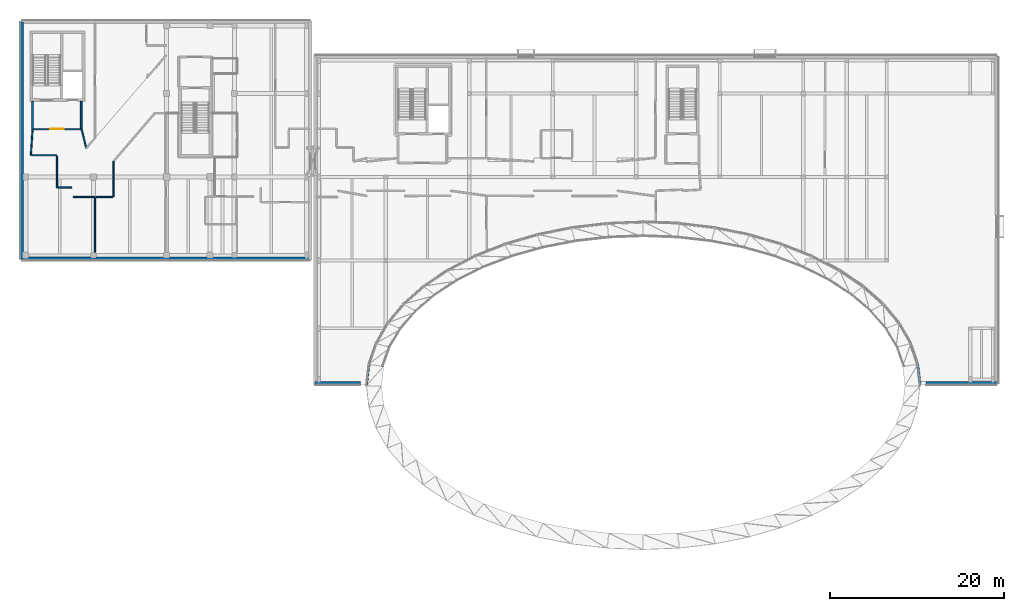
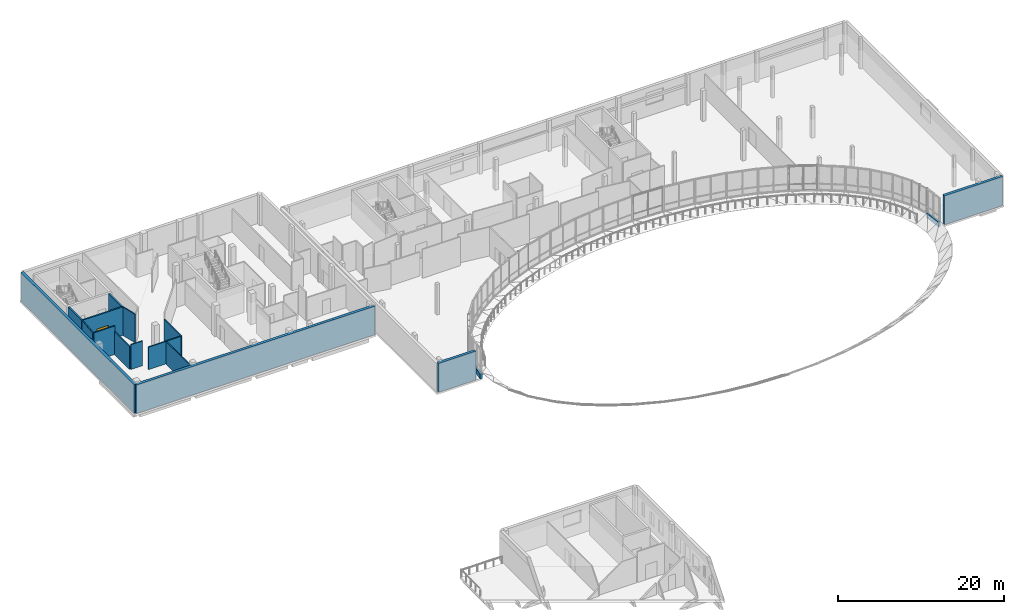
# One storey, part 24 of 41: 18 walls, 1 door, 1 opening.
"""IFC4 building model written with IfcOpenShell, lengths in metres."""

from ifc_helpers import new_model, si_unit, direction, frame, frame_2d, origin, place, context, subcontext, project, spatial, rectangle, extrude, material, layer, layer_set, type_object, element, fill, save


model = new_model("IFC4")

# Units and contexts
model_context = context("Model", 3, precision=1e-05, world=origin(), true_north=direction((0.0, 1.0)))
body_context = subcontext(model_context, "Body", "Model", "MODEL_VIEW")
ifc_project = project(units=[si_unit("LENGTHUNIT", "METRE"), si_unit("AREAUNIT", "SQUARE_METRE"), si_unit("VOLUMEUNIT", "CUBIC_METRE"), si_unit("PLANEANGLEUNIT", "RADIAN"), si_unit("MASSUNIT", "GRAM", prefix="KILO")], contexts=[model_context])

# Site, building, storey
site_placement = place(None, origin())
site = spatial("IfcSite", under=ifc_project, at=site_placement, CompositionType="ELEMENT")
building_placement = place(site_placement, origin())
building = spatial("IfcBuilding", under=site, at=building_placement, Name="Mzevani Central Library", CompositionType="ELEMENT")
storey_placement = place(building_placement, frame((0.0, 0.0, 13.800048828125)))
storey = spatial("IfcBuildingStorey", under=building, at=storey_placement, Name="L03", CompositionType="ELEMENT", Elevation=13.800048828125)

# Wall
ifc_material_1 = material(Name="Concrete C35/45", Category="concrete")
ifc_layer_1 = layer(ifc_material_1, 0.199951171875, Name="Compartment Wall 200")
ifc_layer_set_1 = layer_set([ifc_layer_1], Name="Concrete C35/45")
wall_type_1 = type_object("IfcWallType", Name="Compartment Wall 200", PredefinedType="STANDARD", material=ifc_layer_set_1)
wall_1_placement = place(storey_placement, frame((13.800048828125, 108.699951171875, 0.0), z_axis=(0.0, 0.0, 1.0), x_axis=(0.0, -1.0, 0.0)))
element("IfcWall", 1, at=wall_1_placement, inside=storey, type_object=wall_type_1, Name="L03 Firefighting Stair and Lift Lobby C2A Enclosure Wall 1", PredefinedType="STANDARD", context=body_context, shape_type="SweptSolid", body=[
    extrude(rectangle(XDim=3.199951171875, YDim=0.199951171875, at=frame_2d((1.60009765625, 0.0))), origin(), (0.0, 0.0, 1.0), 4.179931640625),
])

# Wall, opening, door
wall_2_placement = place(storey_placement, frame((13.800048828125, 105.5, 0.0), z_axis=(0.0, 0.0, 1.0), x_axis=(1.0, 0.0, 0.0)))
wall_2 = element("IfcWall", 2, at=wall_2_placement, inside=storey, type_object=wall_type_1, Name="L03 Firefighting Stair and Lift Lobby C2A Enclosure Wall 2", PredefinedType="STANDARD", context=body_context, shape_type="SweptSolid", body=[
    extrude(rectangle(XDim=5.599853515625, YDim=0.199951171875, at=frame_2d((2.7998046875, 0.0))), origin(), (0.0, 0.0, 1.0), 4.179931640625),
])
opening_placement = place(wall_2_placement, frame((2.0, 0.0, 0.0)))
opening = element("IfcOpeningElement", 3, at=opening_placement, cuts=wall_2, Name="Opening FD-02", PredefinedType="OPENING", context=body_context, shape_type="SweptSolid", body=[
    extrude(rectangle(XDim=1.60009765625, YDim=2.199951171875, at=frame_2d((0.800048828125, 1.10009765625))), frame((0.0, 0.10986328125, 0.0), z_axis=(0.0, -1.0, 0.0), x_axis=(1.0, 0.0, 0.0)), (0.0, 0.0, 1.0), 0.219970703125),
])
ifc_material_2 = material(Name="Fire-rated steel door assembly", Category="steel")
door_type = type_object("IfcDoorType", Name="Fire Lobby Double Door 1600x2200", OperationType="NOTDEFINED", PredefinedType="DOOR", material=ifc_material_2)
door_placement = place(opening_placement, origin())
door = element("IfcDoor", 4, at=door_placement, inside=storey, type_object=door_type, Name="L03 Firefighting Stair and Lift Lobby C2A Smoke-Control Door", OperationType="DOUBLE_DOOR_SINGLE_SWING", OverallHeight=2.199951171875, OverallWidth=1.60009765625, PredefinedType="DOOR", context=body_context, shape_type="SweptSolid", body=[
    extrude(rectangle(XDim=1.60009765625, YDim=2.199951171875, at=frame_2d((0.800048828125, 1.10009765625))), frame((0.0, 0.02490234375, 0.0), z_axis=(0.0, -1.0, 0.0), x_axis=(1.0, 0.0, 0.0)), (0.0, 0.0, 1.0), 0.050048828125),
])
fill(opening, door)

# Walls
wall_3_placement = place(storey_placement, frame((19.39990234375, 105.5, 0.0), z_axis=(0.0, 0.0, 1.0), x_axis=(0.0, 1.0, 0.0)))
element("IfcWall", 5, at=wall_3_placement, inside=storey, type_object=wall_type_1, Name="L03 Firefighting Stair and Lift Lobby C2A Enclosure Wall 3", PredefinedType="STANDARD", context=body_context, shape_type="SweptSolid", body=[
    extrude(rectangle(XDim=3.199951171875, YDim=0.199951171875, at=frame_2d((1.60009765625, 0.0))), origin(), (0.0, 0.0, 1.0), 4.179931640625),
])
ifc_material_3 = material(Name="Precast concrete C40/50", Category="concrete")
ifc_layer_2 = layer(ifc_material_3, 0.280029296875, Name="Court Spandrel Wall 280")
ifc_layer_set_2 = layer_set([ifc_layer_2], Name="Precast concrete C40/50")
wall_type_2 = type_object("IfcWallType", Name="Court Spandrel Wall 280", PredefinedType="STANDARD", material=ifc_layer_set_2)
for number, where, z_axis, x_axis, name in (
    (6, (115.81982421875, 76.008544921875, 0.0), (0.0, 0.0, 1.0), (-0.110563069509, 0.993869109924, 0.0), "L03 Elliptical Court Spandrel 1"),
    (7, (52.450439453125, 78.43798828125, 0.0), (0.0, 0.0, 1.0), (-0.110563069509, -0.993869109924, 0.0), "L03 Elliptical Court Spandrel 24"),
):
    element("IfcWall", number, at=place(storey_placement, frame(where, z_axis=z_axis, x_axis=x_axis)), inside=storey, type_object=wall_type_2, Name=name, PredefinedType="STANDARD", context=body_context, shape_type="SweptSolid", body=[
        extrude(rectangle(XDim=2.4443359375, YDim=0.280029296875, at=frame_2d((1.22216796875, 0.0))), origin(), (0.0, 0.0, 1.0), 0.719970703125),
    ])
ifc_layer_3 = layer(ifc_material_3, 0.3798828125, Name="Exterior Thermal Concrete Wall 380")
ifc_layer_set_3 = layer_set([ifc_layer_3], Name="Precast concrete C40/50")
wall_type_3 = type_object("IfcWallType", Name="Exterior Thermal Concrete Wall 380", PredefinedType="STANDARD", material=ifc_layer_set_3)
wall_4_placement = place(storey_placement, frame((45.7099609375, 90.590087890625, 0.0), z_axis=(0.0, 0.0, 1.0), x_axis=(-1.0, 0.0, 0.0)))
element("IfcWall", 8, at=wall_4_placement, inside=storey, type_object=wall_type_3, Name="L03 V2 Exterior Thermal Wall (28)", PredefinedType="STANDARD", context=body_context, shape_type="SweptSolid", body=[
    extrude(rectangle(XDim=33.119873046875, YDim=0.3798828125, at=frame_2d((16.56005859375, 0.0))), origin(), (0.0, 0.0, 1.0), 4.179931640625),
])
wall_5_placement = place(storey_placement, frame((12.590087890625, 90.590087890625, 0.0), z_axis=(0.0, 0.0, 1.0), x_axis=(0.0, 1.0, 0.0)))
element("IfcWall", 9, at=wall_5_placement, inside=storey, type_object=wall_type_3, Name="L03 V2 Exterior Thermal Wall (29)", PredefinedType="STANDARD", context=body_context, shape_type="SweptSolid", body=[
    extrude(rectangle(XDim=27.219970703125, YDim=0.3798828125, at=frame_2d((13.60986328125, 0.0))), origin(), (0.0, 0.0, 1.0), 4.179931640625),
])
wall_6_placement = place(storey_placement, frame((124.610107421875, 76.2900390625, 0.0), z_axis=(0.0, 0.0, 1.0), x_axis=(-1.0, 0.0, 0.0)))
element("IfcWall", 10, at=wall_6_placement, inside=storey, type_object=wall_type_3, Name="L03 V3 Exterior Thermal Wall (66)", PredefinedType="STANDARD", context=body_context, shape_type="SweptSolid", body=[
    extrude(rectangle(XDim=8.08642578125, YDim=0.3798828125, at=frame_2d((4.043212890625, 0.0))), origin(), (0.0, 0.0, 1.0), 4.239990234375),
])
wall_7_placement = place(storey_placement, frame((51.476318359375, 76.2900390625, 0.0), z_axis=(0.0, 0.0, 1.0), x_axis=(-1.0, 0.0, 0.0)))
element("IfcWall", 11, at=wall_7_placement, inside=storey, type_object=wall_type_3, Name="L03 V3 Exterior Thermal Wall (67)", PredefinedType="STANDARD", context=body_context, shape_type="SweptSolid", body=[
    extrude(rectangle(XDim=5.186279296875, YDim=0.3798828125, at=frame_2d((2.59326171875, 0.0))), origin(), (0.0, 0.0, 1.0), 4.219970703125),
])
ifc_material_4 = material(Name="Fire-rated gypsum board", Category="gypsum")
ifc_layer_4 = layer(ifc_material_4, 0.14990234375, Name="Partition Study 150")
ifc_layer_set_4 = layer_set([ifc_layer_4], Name="Fire-rated gypsum board")
wall_type_4 = type_object("IfcWallType", Name="Partition Study 150", PredefinedType="PARTITIONING", material=ifc_layer_set_4)
wall_8_placement = place(storey_placement, frame((19.9599609375, 103.306884765625, 0.0), z_axis=(0.0, 0.0, 1.0), x_axis=(-0.229592143179, 0.973286929837, 0.0)))
element("IfcWall", 12, at=wall_8_placement, inside=storey, type_object=wall_type_4, Name="L03 V2 Partition IW-03 (481)", PredefinedType="PARTITIONING", context=body_context, shape_type="SweptSolid", body=[
    extrude(rectangle(XDim=2.33837890625, YDim=0.14990234375, at=frame_2d((1.169189453125, 0.0))), origin(), (0.0, 0.0, 1.0), 4.179931640625),
])
wall_9_placement = place(storey_placement, frame((13.793212890625, 105.400146484375, 0.0), z_axis=(0.0, 0.0, 1.0), x_axis=(-0.066440960793, -0.997790358106, 0.0)))
element("IfcWall", 13, at=wall_9_placement, inside=storey, type_object=wall_type_4, Name="L03 V2 Partition IW-03 (482)", PredefinedType="PARTITIONING", context=body_context, shape_type="SweptSolid", body=[
    extrude(rectangle(XDim=2.906494140625, YDim=0.14990234375, at=frame_2d((1.453125, 0.0))), origin(), (0.0, 0.0, 1.0), 4.179931640625),
])
wall_10_placement = place(storey_placement, frame((13.699951171875, 102.5, 0.0), z_axis=(0.0, 0.0, 1.0), x_axis=(1.0, 0.0, 0.0)))
element("IfcWall", 14, at=wall_10_placement, inside=storey, type_object=wall_type_4, Name="L03 V2 Partition IW-03 (483)", PredefinedType="PARTITIONING", context=body_context, shape_type="SweptSolid", body=[
    extrude(rectangle(XDim=2.900146484375, YDim=0.14990234375, at=frame_2d((1.4501953125, 0.0))), origin(), (0.0, 0.0, 1.0), 4.179931640625),
])
wall_11_placement = place(storey_placement, frame((16.60009765625, 102.39990234375, 0.0), z_axis=(0.0, 0.0, 1.0), x_axis=(0.0, -1.0, 0.0)))
element("IfcWall", 15, at=wall_11_placement, inside=storey, type_object=wall_type_4, Name="L03 V2 Partition IW-03 (484)", PredefinedType="PARTITIONING", context=body_context, shape_type="SweptSolid", body=[
    extrude(rectangle(XDim=3.619873046875, YDim=0.14990234375, at=frame_2d((1.81005859375, 0.0))), origin(), (0.0, 0.0, 1.0), 3.35986328125),
])
wall_12_placement = place(storey_placement, frame((16.699951171875, 98.780029296875, 0.0), z_axis=(0.0, 0.0, 1.0), x_axis=(1.0, 0.0, 0.0)))
element("IfcWall", 16, at=wall_12_placement, inside=storey, type_object=wall_type_4, Name="L03 V2 Partition IW-03 (485)", PredefinedType="PARTITIONING", context=body_context, shape_type="SweptSolid", body=[
    extrude(rectangle(XDim=1.580078125, YDim=0.14990234375, at=frame_2d((0.7900390625, 0.0))), origin(), (0.0, 0.0, 1.0), 3.639892578125),
])
wall_13_placement = place(storey_placement, frame((18.5, 97.699951171875, 0.0), z_axis=(0.0, 0.0, 1.0), x_axis=(1.0, 0.0, 0.0)))
element("IfcWall", 17, at=wall_13_placement, inside=storey, type_object=wall_type_4, Name="L03 V2 Partition IW-03 (486)", PredefinedType="PARTITIONING", context=body_context, shape_type="SweptSolid", body=[
    extrude(rectangle(XDim=2.465087890625, YDim=0.14990234375, at=frame_2d((1.232421875, 0.0))), origin(), (0.0, 0.0, 1.0), 3.31005859375),
])
wall_14_placement = place(storey_placement, frame((20.965087890625, 97.60009765625, 0.0), z_axis=(0.0, 0.0, 1.0), x_axis=(0.0, -1.0, 0.0)))
element("IfcWall", 18, at=wall_14_placement, inside=storey, type_object=wall_type_4, Name="L03 V2 Partition IW-03 (487)", PredefinedType="PARTITIONING", context=body_context, shape_type="SweptSolid", body=[
    extrude(rectangle(XDim=6.91015625, YDim=0.14990234375, at=frame_2d((3.455078125, 0.0))), origin(), (0.0, 0.0, 1.0), 3.31005859375),
])
wall_15_placement = place(storey_placement, frame((23.10009765625, 97.699951171875, 0.0), z_axis=(0.0, 0.0, 1.0), x_axis=(0.0, 1.0, 0.0)))
element("IfcWall", 19, at=wall_15_placement, inside=storey, type_object=wall_type_4, Name="L03 V2 Partition IW-03 (490)", PredefinedType="PARTITIONING", context=body_context, shape_type="SweptSolid", body=[
    extrude(rectangle(XDim=4.1044921875, YDim=0.14990234375, at=frame_2d((2.05224609375, 0.0))), origin(), (0.0, 0.0, 1.0), 3.31005859375),
])
wall_16_placement = place(storey_placement, frame((21.06494140625, 97.699951171875, 0.0), z_axis=(0.0, 0.0, 1.0), x_axis=(1.0, 0.0, 0.0)))
element("IfcWall", 20, at=wall_16_placement, inside=storey, type_object=wall_type_4, Name="L03 V2 Partition IW-03 (494)", PredefinedType="PARTITIONING", context=body_context, shape_type="SweptSolid", body=[
    extrude(rectangle(XDim=1.93505859375, YDim=0.14990234375, at=frame_2d((0.967529296875, 0.0))), origin(), (0.0, 0.0, 1.0), 3.31005859375),
])

save(model, "model.ifc")
